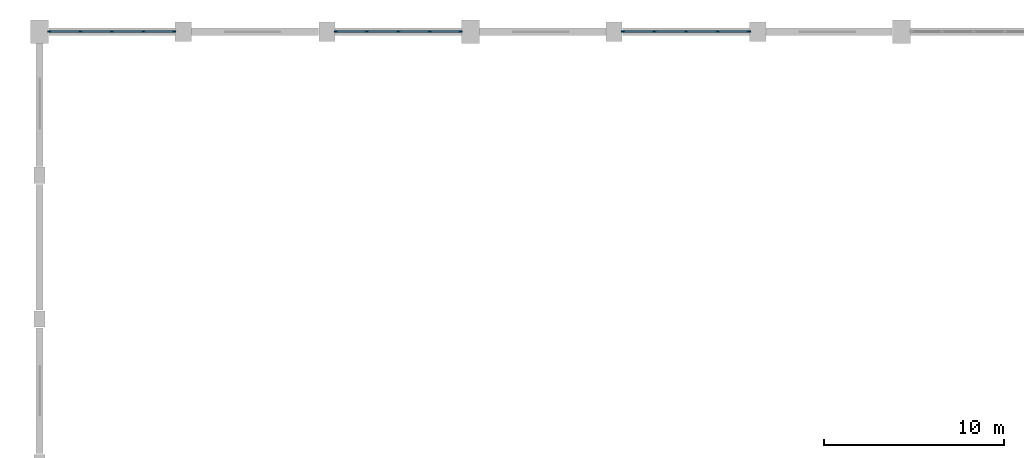
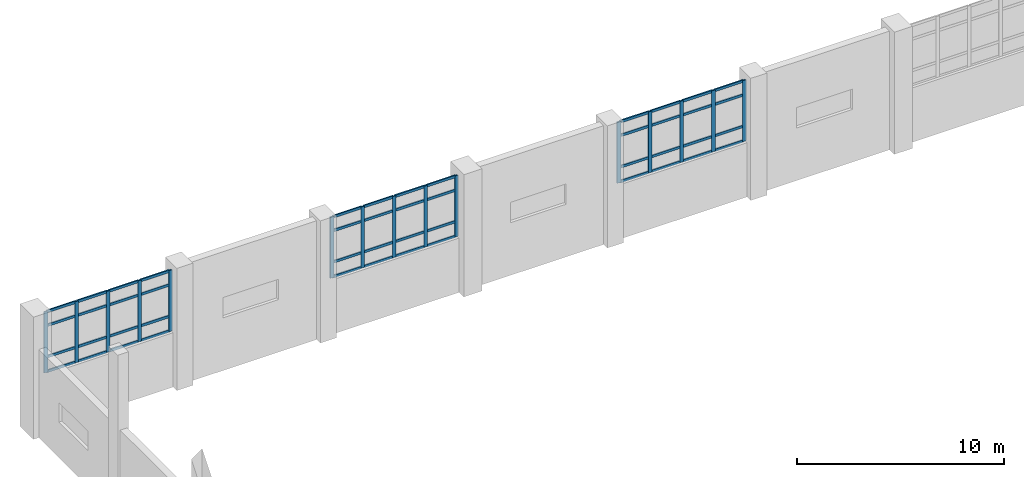
# One storey, part 34 of 84: 63 members, 3 elements without a shape of their own.
"""IFC4 building model written with IfcOpenShell, lengths in metres."""

from ifc_helpers import new_model, si_unit, direction, frame, origin, origin_2d, place, context, subcontext, project, spatial, rectangle, extrude, material, layer, layer_set, material_profile, profile_set, type_object, element, aggregate, save


model = new_model("IFC4")

# Units and contexts
model_context = context("Model", 3, precision=1e-05, world=origin(), true_north=direction((0.0, 1.0)))
body_context = subcontext(model_context, "Body", "Model", "MODEL_VIEW")
ifc_project = project(units=[si_unit("LENGTHUNIT", "METRE"), si_unit("AREAUNIT", "SQUARE_METRE"), si_unit("VOLUMEUNIT", "CUBIC_METRE"), si_unit("PLANEANGLEUNIT", "RADIAN"), si_unit("MASSUNIT", "GRAM", prefix="KILO")], contexts=[model_context])

# Site, building, storey
site_placement = place(None, origin())
site = spatial("IfcSite", under=ifc_project, at=site_placement, CompositionType="ELEMENT")
building_placement = place(site_placement, origin())
building = spatial("IfcBuilding", under=site, at=building_placement, Name="Tlacozan Convention Centre", CompositionType="ELEMENT")
storey_placement = place(building_placement, frame((0.0, 0.0, 6.0)))
storey = spatial("IfcBuildingStorey", under=building, at=storey_placement, Name="L01", CompositionType="ELEMENT", Elevation=6.0)

# Curtain wall, members
ifc_material = material(Name="Dark Bronze Anodised Aluminium", Category="aluminium")
ifc_layer = layer(ifc_material, 0.199951171875)
ifc_layer_set = layer_set([ifc_layer], Name="Dark Bronze Anodised Aluminium")
curtain_wall_type = type_object("IfcCurtainWallType", Name="Exhibition Clerestory Curtain Wall CW10", PredefinedType="NOTDEFINED", material=ifc_layer_set)
curtain_wall_1_placement = place(storey_placement, origin())
curtain_wall_1 = element("IfcCurtainWall", 1, at=curtain_wall_1_placement, inside=storey, type_object=curtain_wall_type, Name="L01 CW-10 Run 1", PredefinedType="NOTDEFINED")
ifc_material_profile_1 = material_profile(ifc_material, rectangle(XDim=0.074951171875, YDim=0.199951171875, at=origin_2d()), Name="ALU 75x200")
ifc_profile_set_1 = profile_set([ifc_material_profile_1], Name="Dark Bronze Anodised Aluminium")
member_type_1 = type_object("IfcMemberType", Name="Curtain Wall Heavy Mullion 75x200", PredefinedType="MULLION", material=ifc_profile_set_1)
member_1_placement = place(storey_placement, frame((0.552490234375, 126.0, 3.199951171875), z_axis=(0.0, 0.0, 1.0), x_axis=(0.0, 1.0, 0.0)))
member_1 = element("IfcMember", 2, at=member_1_placement, type_object=member_type_1, Name="CW-10 mullion 1", PredefinedType="MULLION", context=body_context, shape_type="SweptSolid", body=[
    extrude(rectangle(XDim=0.074951171875, YDim=0.199951171875, at=origin_2d()), origin(), (0.0, 0.0, 1.0), 3.60009765625),
])
member_2_placement = place(storey_placement, frame((2.27001953125, 126.0, 3.199951171875), z_axis=(0.0, 0.0, 1.0), x_axis=(0.0, 1.0, 0.0)))
member_2 = element("IfcMember", 3, at=member_2_placement, type_object=member_type_1, Name="CW-10 mullion 2", PredefinedType="MULLION", context=body_context, shape_type="SweptSolid", body=[
    extrude(rectangle(XDim=0.074951171875, YDim=0.199951171875, at=origin_2d()), origin(), (0.0, 0.0, 1.0), 3.60009765625),
])
member_3_placement = place(storey_placement, frame((4.02490234375, 126.0, 3.199951171875), z_axis=(0.0, 0.0, 1.0), x_axis=(0.0, 1.0, 0.0)))
member_3 = element("IfcMember", 4, at=member_3_placement, type_object=member_type_1, Name="CW-10 mullion 3", PredefinedType="MULLION", context=body_context, shape_type="SweptSolid", body=[
    extrude(rectangle(XDim=0.074951171875, YDim=0.199951171875, at=origin_2d()), origin(), (0.0, 0.0, 1.0), 3.60009765625),
])
member_4_placement = place(storey_placement, frame((5.780029296875, 126.0, 3.199951171875), z_axis=(0.0, 0.0, 1.0), x_axis=(0.0, 1.0, 0.0)))
member_4 = element("IfcMember", 5, at=member_4_placement, type_object=member_type_1, Name="CW-10 mullion 4", PredefinedType="MULLION", context=body_context, shape_type="SweptSolid", body=[
    extrude(rectangle(XDim=0.074951171875, YDim=0.199951171875, at=origin_2d()), origin(), (0.0, 0.0, 1.0), 3.60009765625),
])
member_5_placement = place(storey_placement, frame((7.49755859375, 126.0, 3.199951171875), z_axis=(0.0, 0.0, 1.0), x_axis=(0.0, 1.0, 0.0)))
member_5 = element("IfcMember", 6, at=member_5_placement, type_object=member_type_1, Name="CW-10 mullion 5", PredefinedType="MULLION", context=body_context, shape_type="SweptSolid", body=[
    extrude(rectangle(XDim=0.074951171875, YDim=0.199951171875, at=origin_2d()), origin(), (0.0, 0.0, 1.0), 3.60009765625),
])

curtain_wall_2_placement = place(storey_placement, origin())
curtain_wall_2 = element("IfcCurtainWall", 7, at=curtain_wall_2_placement, inside=storey, type_object=curtain_wall_type, Name="L01 CW-10 Run 2", PredefinedType="NOTDEFINED")
member_6_placement = place(storey_placement, frame((16.50244140625, 126.0, 3.199951171875), z_axis=(0.0, 0.0, 1.0), x_axis=(0.0, 1.0, 0.0)))
member_6 = element("IfcMember", 8, at=member_6_placement, type_object=member_type_1, Name="CW-10 mullion 1", PredefinedType="MULLION", context=body_context, shape_type="SweptSolid", body=[
    extrude(rectangle(XDim=0.074951171875, YDim=0.199951171875, at=origin_2d()), origin(), (0.0, 0.0, 1.0), 3.60009765625),
])
member_7_placement = place(storey_placement, frame((18.219970703125, 126.0, 3.199951171875), z_axis=(0.0, 0.0, 1.0), x_axis=(0.0, 1.0, 0.0)))
member_7 = element("IfcMember", 9, at=member_7_placement, type_object=member_type_1, Name="CW-10 mullion 2", PredefinedType="MULLION", context=body_context, shape_type="SweptSolid", body=[
    extrude(rectangle(XDim=0.074951171875, YDim=0.199951171875, at=origin_2d()), origin(), (0.0, 0.0, 1.0), 3.60009765625),
])
member_8_placement = place(storey_placement, frame((19.97509765625, 126.0, 3.199951171875), z_axis=(0.0, 0.0, 1.0), x_axis=(0.0, 1.0, 0.0)))
member_8 = element("IfcMember", 10, at=member_8_placement, type_object=member_type_1, Name="CW-10 mullion 3", PredefinedType="MULLION", context=body_context, shape_type="SweptSolid", body=[
    extrude(rectangle(XDim=0.074951171875, YDim=0.199951171875, at=origin_2d()), origin(), (0.0, 0.0, 1.0), 3.60009765625),
])
member_9_placement = place(storey_placement, frame((21.72998046875, 126.0, 3.199951171875), z_axis=(0.0, 0.0, 1.0), x_axis=(0.0, 1.0, 0.0)))
member_9 = element("IfcMember", 11, at=member_9_placement, type_object=member_type_1, Name="CW-10 mullion 4", PredefinedType="MULLION", context=body_context, shape_type="SweptSolid", body=[
    extrude(rectangle(XDim=0.074951171875, YDim=0.199951171875, at=origin_2d()), origin(), (0.0, 0.0, 1.0), 3.60009765625),
])
member_10_placement = place(storey_placement, frame((23.447509765625, 126.0, 3.199951171875), z_axis=(0.0, 0.0, 1.0), x_axis=(0.0, 1.0, 0.0)))
member_10 = element("IfcMember", 12, at=member_10_placement, type_object=member_type_1, Name="CW-10 mullion 5", PredefinedType="MULLION", context=body_context, shape_type="SweptSolid", body=[
    extrude(rectangle(XDim=0.074951171875, YDim=0.199951171875, at=origin_2d()), origin(), (0.0, 0.0, 1.0), 3.60009765625),
])

curtain_wall_3_placement = place(storey_placement, origin())
curtain_wall_3 = element("IfcCurtainWall", 13, at=curtain_wall_3_placement, inside=storey, type_object=curtain_wall_type, Name="L01 CW-10 Run 3", PredefinedType="NOTDEFINED")
member_11_placement = place(storey_placement, frame((32.50244140625, 126.0, 3.199951171875), z_axis=(0.0, 0.0, 1.0), x_axis=(0.0, 1.0, 0.0)))
member_11 = element("IfcMember", 14, at=member_11_placement, type_object=member_type_1, Name="CW-10 mullion 1", PredefinedType="MULLION", context=body_context, shape_type="SweptSolid", body=[
    extrude(rectangle(XDim=0.074951171875, YDim=0.199951171875, at=origin_2d()), origin(), (0.0, 0.0, 1.0), 3.60009765625),
])
member_12_placement = place(storey_placement, frame((34.232421875, 126.0, 3.199951171875), z_axis=(0.0, 0.0, 1.0), x_axis=(0.0, 1.0, 0.0)))
member_12 = element("IfcMember", 15, at=member_12_placement, type_object=member_type_1, Name="CW-10 mullion 2", PredefinedType="MULLION", context=body_context, shape_type="SweptSolid", body=[
    extrude(rectangle(XDim=0.074951171875, YDim=0.199951171875, at=origin_2d()), origin(), (0.0, 0.0, 1.0), 3.60009765625),
])
member_13_placement = place(storey_placement, frame((36.0, 126.0, 3.199951171875), z_axis=(0.0, 0.0, 1.0), x_axis=(0.0, 1.0, 0.0)))
member_13 = element("IfcMember", 16, at=member_13_placement, type_object=member_type_1, Name="CW-10 mullion 3", PredefinedType="MULLION", context=body_context, shape_type="SweptSolid", body=[
    extrude(rectangle(XDim=0.074951171875, YDim=0.199951171875, at=origin_2d()), origin(), (0.0, 0.0, 1.0), 3.60009765625),
])
member_14_placement = place(storey_placement, frame((37.767578125, 126.0, 3.199951171875), z_axis=(0.0, 0.0, 1.0), x_axis=(0.0, 1.0, 0.0)))
member_14 = element("IfcMember", 17, at=member_14_placement, type_object=member_type_1, Name="CW-10 mullion 4", PredefinedType="MULLION", context=body_context, shape_type="SweptSolid", body=[
    extrude(rectangle(XDim=0.074951171875, YDim=0.199951171875, at=origin_2d()), origin(), (0.0, 0.0, 1.0), 3.60009765625),
])
member_15_placement = place(storey_placement, frame((39.49755859375, 126.0, 3.199951171875), z_axis=(0.0, 0.0, 1.0), x_axis=(0.0, 1.0, 0.0)))
member_15 = element("IfcMember", 18, at=member_15_placement, type_object=member_type_1, Name="CW-10 mullion 5", PredefinedType="MULLION", context=body_context, shape_type="SweptSolid", body=[
    extrude(rectangle(XDim=0.074951171875, YDim=0.199951171875, at=origin_2d()), origin(), (0.0, 0.0, 1.0), 3.60009765625),
])

# Member
ifc_material_profile_2 = material_profile(ifc_material, rectangle(XDim=0.074951171875, YDim=0.14990234375, at=origin_2d()), Name="ALU 75x150")
ifc_profile_set_2 = profile_set([ifc_material_profile_2], Name="Dark Bronze Anodised Aluminium")
member_type_2 = type_object("IfcMemberType", Name="Curtain Wall Heavy Transom 75x150", PredefinedType="USERDEFINED", material=ifc_profile_set_2)
member_16_placement = place(storey_placement, frame((0.590087890625, 126.0, 3.237548828125), z_axis=(1.0, 0.0, 0.0), x_axis=(0.0, 1.0, 0.0)))
member_16 = element("IfcMember", 19, at=member_16_placement, type_object=member_type_2, Name="CW-10 transom 1.1", ObjectType="TRANSOM", PredefinedType="USERDEFINED", context=body_context, shape_type="SweptSolid", body=[
    extrude(rectangle(XDim=0.074951171875, YDim=0.14990234375, at=origin_2d()), origin(), (0.0, 0.0, 1.0), 1.642333984375),
])

member_17_placement = place(storey_placement, frame((0.590087890625, 126.0, 4.10009765625), z_axis=(1.0, 0.0, 0.0), x_axis=(0.0, 1.0, 0.0)))
member_17 = element("IfcMember", 20, at=member_17_placement, type_object=member_type_2, Name="CW-10 transom 1.2", ObjectType="TRANSOM", PredefinedType="USERDEFINED", context=body_context, shape_type="SweptSolid", body=[
    extrude(rectangle(XDim=0.074951171875, YDim=0.14990234375, at=origin_2d()), origin(), (0.0, 0.0, 1.0), 1.642333984375),
])

member_18_placement = place(storey_placement, frame((0.590087890625, 126.0, 5.949951171875), z_axis=(1.0, 0.0, 0.0), x_axis=(0.0, 1.0, 0.0)))
member_18 = element("IfcMember", 21, at=member_18_placement, type_object=member_type_2, Name="CW-10 transom 1.3", ObjectType="TRANSOM", PredefinedType="USERDEFINED", context=body_context, shape_type="SweptSolid", body=[
    extrude(rectangle(XDim=0.074951171875, YDim=0.14990234375, at=origin_2d()), origin(), (0.0, 0.0, 1.0), 1.642333984375),
])

member_19_placement = place(storey_placement, frame((0.590087890625, 126.0, 6.762451171875), z_axis=(1.0, 0.0, 0.0), x_axis=(0.0, 1.0, 0.0)))
member_19 = element("IfcMember", 22, at=member_19_placement, type_object=member_type_2, Name="CW-10 transom 1.4", ObjectType="TRANSOM", PredefinedType="USERDEFINED", context=body_context, shape_type="SweptSolid", body=[
    extrude(rectangle(XDim=0.074951171875, YDim=0.14990234375, at=origin_2d()), origin(), (0.0, 0.0, 1.0), 1.642333984375),
])

member_20_placement = place(storey_placement, frame((2.3076171875, 126.0, 3.237548828125), z_axis=(1.0, 0.0, 0.0), x_axis=(0.0, 1.0, 0.0)))
member_20 = element("IfcMember", 23, at=member_20_placement, type_object=member_type_2, Name="CW-10 transom 2.1", ObjectType="TRANSOM", PredefinedType="USERDEFINED", context=body_context, shape_type="SweptSolid", body=[
    extrude(rectangle(XDim=0.074951171875, YDim=0.14990234375, at=origin_2d()), origin(), (0.0, 0.0, 1.0), 1.679931640625),
])

member_21_placement = place(storey_placement, frame((2.3076171875, 126.0, 4.10009765625), z_axis=(1.0, 0.0, 0.0), x_axis=(0.0, 1.0, 0.0)))
member_21 = element("IfcMember", 24, at=member_21_placement, type_object=member_type_2, Name="CW-10 transom 2.2", ObjectType="TRANSOM", PredefinedType="USERDEFINED", context=body_context, shape_type="SweptSolid", body=[
    extrude(rectangle(XDim=0.074951171875, YDim=0.14990234375, at=origin_2d()), origin(), (0.0, 0.0, 1.0), 1.679931640625),
])

member_22_placement = place(storey_placement, frame((2.3076171875, 126.0, 5.949951171875), z_axis=(1.0, 0.0, 0.0), x_axis=(0.0, 1.0, 0.0)))
member_22 = element("IfcMember", 25, at=member_22_placement, type_object=member_type_2, Name="CW-10 transom 2.3", ObjectType="TRANSOM", PredefinedType="USERDEFINED", context=body_context, shape_type="SweptSolid", body=[
    extrude(rectangle(XDim=0.074951171875, YDim=0.14990234375, at=origin_2d()), origin(), (0.0, 0.0, 1.0), 1.679931640625),
])

member_23_placement = place(storey_placement, frame((2.3076171875, 126.0, 6.762451171875), z_axis=(1.0, 0.0, 0.0), x_axis=(0.0, 1.0, 0.0)))
member_23 = element("IfcMember", 26, at=member_23_placement, type_object=member_type_2, Name="CW-10 transom 2.4", ObjectType="TRANSOM", PredefinedType="USERDEFINED", context=body_context, shape_type="SweptSolid", body=[
    extrude(rectangle(XDim=0.074951171875, YDim=0.14990234375, at=origin_2d()), origin(), (0.0, 0.0, 1.0), 1.679931640625),
])

member_24_placement = place(storey_placement, frame((4.0625, 126.0, 3.237548828125), z_axis=(1.0, 0.0, 0.0), x_axis=(0.0, 1.0, 0.0)))
member_24 = element("IfcMember", 27, at=member_24_placement, type_object=member_type_2, Name="CW-10 transom 3.1", ObjectType="TRANSOM", PredefinedType="USERDEFINED", context=body_context, shape_type="SweptSolid", body=[
    extrude(rectangle(XDim=0.074951171875, YDim=0.14990234375, at=origin_2d()), origin(), (0.0, 0.0, 1.0), 1.679931640625),
])

member_25_placement = place(storey_placement, frame((4.0625, 126.0, 4.10009765625), z_axis=(1.0, 0.0, 0.0), x_axis=(0.0, 1.0, 0.0)))
member_25 = element("IfcMember", 28, at=member_25_placement, type_object=member_type_2, Name="CW-10 transom 3.2", ObjectType="TRANSOM", PredefinedType="USERDEFINED", context=body_context, shape_type="SweptSolid", body=[
    extrude(rectangle(XDim=0.074951171875, YDim=0.14990234375, at=origin_2d()), origin(), (0.0, 0.0, 1.0), 1.679931640625),
])

member_26_placement = place(storey_placement, frame((4.0625, 126.0, 5.949951171875), z_axis=(1.0, 0.0, 0.0), x_axis=(0.0, 1.0, 0.0)))
member_26 = element("IfcMember", 29, at=member_26_placement, type_object=member_type_2, Name="CW-10 transom 3.3", ObjectType="TRANSOM", PredefinedType="USERDEFINED", context=body_context, shape_type="SweptSolid", body=[
    extrude(rectangle(XDim=0.074951171875, YDim=0.14990234375, at=origin_2d()), origin(), (0.0, 0.0, 1.0), 1.679931640625),
])

member_27_placement = place(storey_placement, frame((4.0625, 126.0, 6.762451171875), z_axis=(1.0, 0.0, 0.0), x_axis=(0.0, 1.0, 0.0)))
member_27 = element("IfcMember", 30, at=member_27_placement, type_object=member_type_2, Name="CW-10 transom 3.4", ObjectType="TRANSOM", PredefinedType="USERDEFINED", context=body_context, shape_type="SweptSolid", body=[
    extrude(rectangle(XDim=0.074951171875, YDim=0.14990234375, at=origin_2d()), origin(), (0.0, 0.0, 1.0), 1.679931640625),
])

member_28_placement = place(storey_placement, frame((5.8173828125, 126.0, 3.237548828125), z_axis=(1.0, 0.0, 0.0), x_axis=(0.0, 1.0, 0.0)))
member_28 = element("IfcMember", 31, at=member_28_placement, type_object=member_type_2, Name="CW-10 transom 4.1", ObjectType="TRANSOM", PredefinedType="USERDEFINED", context=body_context, shape_type="SweptSolid", body=[
    extrude(rectangle(XDim=0.074951171875, YDim=0.14990234375, at=origin_2d()), origin(), (0.0, 0.0, 1.0), 1.642578125),
])

member_29_placement = place(storey_placement, frame((5.8173828125, 126.0, 4.10009765625), z_axis=(1.0, 0.0, 0.0), x_axis=(0.0, 1.0, 0.0)))
member_29 = element("IfcMember", 32, at=member_29_placement, type_object=member_type_2, Name="CW-10 transom 4.2", ObjectType="TRANSOM", PredefinedType="USERDEFINED", context=body_context, shape_type="SweptSolid", body=[
    extrude(rectangle(XDim=0.074951171875, YDim=0.14990234375, at=origin_2d()), origin(), (0.0, 0.0, 1.0), 1.642578125),
])

member_30_placement = place(storey_placement, frame((5.8173828125, 126.0, 5.949951171875), z_axis=(1.0, 0.0, 0.0), x_axis=(0.0, 1.0, 0.0)))
member_30 = element("IfcMember", 33, at=member_30_placement, type_object=member_type_2, Name="CW-10 transom 4.3", ObjectType="TRANSOM", PredefinedType="USERDEFINED", context=body_context, shape_type="SweptSolid", body=[
    extrude(rectangle(XDim=0.074951171875, YDim=0.14990234375, at=origin_2d()), origin(), (0.0, 0.0, 1.0), 1.642578125),
])

member_31_placement = place(storey_placement, frame((5.8173828125, 126.0, 6.762451171875), z_axis=(1.0, 0.0, 0.0), x_axis=(0.0, 1.0, 0.0)))
member_31 = element("IfcMember", 34, at=member_31_placement, type_object=member_type_2, Name="CW-10 transom 4.4", ObjectType="TRANSOM", PredefinedType="USERDEFINED", context=body_context, shape_type="SweptSolid", body=[
    extrude(rectangle(XDim=0.074951171875, YDim=0.14990234375, at=origin_2d()), origin(), (0.0, 0.0, 1.0), 1.642578125),
])

aggregate(curtain_wall_1, [member_1, member_2, member_3, member_4, member_5, member_16, member_17, member_18, member_19, member_20, member_21, member_22, member_23, member_24, member_25, member_26, member_27, member_28, member_29, member_30, member_31])

member_32_placement = place(storey_placement, frame((16.5400390625, 126.0, 3.237548828125), z_axis=(1.0, 0.0, 0.0), x_axis=(0.0, 1.0, 0.0)))
member_32 = element("IfcMember", 35, at=member_32_placement, type_object=member_type_2, Name="CW-10 transom 1.1", ObjectType="TRANSOM", PredefinedType="USERDEFINED", context=body_context, shape_type="SweptSolid", body=[
    extrude(rectangle(XDim=0.074951171875, YDim=0.14990234375, at=origin_2d()), origin(), (0.0, 0.0, 1.0), 1.642578125),
])

member_33_placement = place(storey_placement, frame((16.5400390625, 126.0, 4.10009765625), z_axis=(1.0, 0.0, 0.0), x_axis=(0.0, 1.0, 0.0)))
member_33 = element("IfcMember", 36, at=member_33_placement, type_object=member_type_2, Name="CW-10 transom 1.2", ObjectType="TRANSOM", PredefinedType="USERDEFINED", context=body_context, shape_type="SweptSolid", body=[
    extrude(rectangle(XDim=0.074951171875, YDim=0.14990234375, at=origin_2d()), origin(), (0.0, 0.0, 1.0), 1.642578125),
])

member_34_placement = place(storey_placement, frame((16.5400390625, 126.0, 5.949951171875), z_axis=(1.0, 0.0, 0.0), x_axis=(0.0, 1.0, 0.0)))
member_34 = element("IfcMember", 37, at=member_34_placement, type_object=member_type_2, Name="CW-10 transom 1.3", ObjectType="TRANSOM", PredefinedType="USERDEFINED", context=body_context, shape_type="SweptSolid", body=[
    extrude(rectangle(XDim=0.074951171875, YDim=0.14990234375, at=origin_2d()), origin(), (0.0, 0.0, 1.0), 1.642578125),
])

member_35_placement = place(storey_placement, frame((16.5400390625, 126.0, 6.762451171875), z_axis=(1.0, 0.0, 0.0), x_axis=(0.0, 1.0, 0.0)))
member_35 = element("IfcMember", 38, at=member_35_placement, type_object=member_type_2, Name="CW-10 transom 1.4", ObjectType="TRANSOM", PredefinedType="USERDEFINED", context=body_context, shape_type="SweptSolid", body=[
    extrude(rectangle(XDim=0.074951171875, YDim=0.14990234375, at=origin_2d()), origin(), (0.0, 0.0, 1.0), 1.642578125),
])

member_36_placement = place(storey_placement, frame((18.257568359375, 126.0, 3.237548828125), z_axis=(1.0, 0.0, 0.0), x_axis=(0.0, 1.0, 0.0)))
member_36 = element("IfcMember", 39, at=member_36_placement, type_object=member_type_2, Name="CW-10 transom 2.1", ObjectType="TRANSOM", PredefinedType="USERDEFINED", context=body_context, shape_type="SweptSolid", body=[
    extrude(rectangle(XDim=0.074951171875, YDim=0.14990234375, at=origin_2d()), origin(), (0.0, 0.0, 1.0), 1.679931640625),
])

member_37_placement = place(storey_placement, frame((18.257568359375, 126.0, 4.10009765625), z_axis=(1.0, 0.0, 0.0), x_axis=(0.0, 1.0, 0.0)))
member_37 = element("IfcMember", 40, at=member_37_placement, type_object=member_type_2, Name="CW-10 transom 2.2", ObjectType="TRANSOM", PredefinedType="USERDEFINED", context=body_context, shape_type="SweptSolid", body=[
    extrude(rectangle(XDim=0.074951171875, YDim=0.14990234375, at=origin_2d()), origin(), (0.0, 0.0, 1.0), 1.679931640625),
])

member_38_placement = place(storey_placement, frame((18.257568359375, 126.0, 5.949951171875), z_axis=(1.0, 0.0, 0.0), x_axis=(0.0, 1.0, 0.0)))
member_38 = element("IfcMember", 41, at=member_38_placement, type_object=member_type_2, Name="CW-10 transom 2.3", ObjectType="TRANSOM", PredefinedType="USERDEFINED", context=body_context, shape_type="SweptSolid", body=[
    extrude(rectangle(XDim=0.074951171875, YDim=0.14990234375, at=origin_2d()), origin(), (0.0, 0.0, 1.0), 1.679931640625),
])

member_39_placement = place(storey_placement, frame((18.257568359375, 126.0, 6.762451171875), z_axis=(1.0, 0.0, 0.0), x_axis=(0.0, 1.0, 0.0)))
member_39 = element("IfcMember", 42, at=member_39_placement, type_object=member_type_2, Name="CW-10 transom 2.4", ObjectType="TRANSOM", PredefinedType="USERDEFINED", context=body_context, shape_type="SweptSolid", body=[
    extrude(rectangle(XDim=0.074951171875, YDim=0.14990234375, at=origin_2d()), origin(), (0.0, 0.0, 1.0), 1.679931640625),
])

member_40_placement = place(storey_placement, frame((20.012451171875, 126.0, 3.237548828125), z_axis=(1.0, 0.0, 0.0), x_axis=(0.0, 1.0, 0.0)))
member_40 = element("IfcMember", 43, at=member_40_placement, type_object=member_type_2, Name="CW-10 transom 3.1", ObjectType="TRANSOM", PredefinedType="USERDEFINED", context=body_context, shape_type="SweptSolid", body=[
    extrude(rectangle(XDim=0.074951171875, YDim=0.14990234375, at=origin_2d()), origin(), (0.0, 0.0, 1.0), 1.679931640625),
])

member_41_placement = place(storey_placement, frame((20.012451171875, 126.0, 4.10009765625), z_axis=(1.0, 0.0, 0.0), x_axis=(0.0, 1.0, 0.0)))
member_41 = element("IfcMember", 44, at=member_41_placement, type_object=member_type_2, Name="CW-10 transom 3.2", ObjectType="TRANSOM", PredefinedType="USERDEFINED", context=body_context, shape_type="SweptSolid", body=[
    extrude(rectangle(XDim=0.074951171875, YDim=0.14990234375, at=origin_2d()), origin(), (0.0, 0.0, 1.0), 1.679931640625),
])

member_42_placement = place(storey_placement, frame((20.012451171875, 126.0, 5.949951171875), z_axis=(1.0, 0.0, 0.0), x_axis=(0.0, 1.0, 0.0)))
member_42 = element("IfcMember", 45, at=member_42_placement, type_object=member_type_2, Name="CW-10 transom 3.3", ObjectType="TRANSOM", PredefinedType="USERDEFINED", context=body_context, shape_type="SweptSolid", body=[
    extrude(rectangle(XDim=0.074951171875, YDim=0.14990234375, at=origin_2d()), origin(), (0.0, 0.0, 1.0), 1.679931640625),
])

member_43_placement = place(storey_placement, frame((20.012451171875, 126.0, 6.762451171875), z_axis=(1.0, 0.0, 0.0), x_axis=(0.0, 1.0, 0.0)))
member_43 = element("IfcMember", 46, at=member_43_placement, type_object=member_type_2, Name="CW-10 transom 3.4", ObjectType="TRANSOM", PredefinedType="USERDEFINED", context=body_context, shape_type="SweptSolid", body=[
    extrude(rectangle(XDim=0.074951171875, YDim=0.14990234375, at=origin_2d()), origin(), (0.0, 0.0, 1.0), 1.679931640625),
])

member_44_placement = place(storey_placement, frame((21.767578125, 126.0, 3.237548828125), z_axis=(1.0, 0.0, 0.0), x_axis=(0.0, 1.0, 0.0)))
member_44 = element("IfcMember", 47, at=member_44_placement, type_object=member_type_2, Name="CW-10 transom 4.1", ObjectType="TRANSOM", PredefinedType="USERDEFINED", context=body_context, shape_type="SweptSolid", body=[
    extrude(rectangle(XDim=0.074951171875, YDim=0.14990234375, at=origin_2d()), origin(), (0.0, 0.0, 1.0), 1.642333984375),
])

member_45_placement = place(storey_placement, frame((21.767578125, 126.0, 4.10009765625), z_axis=(1.0, 0.0, 0.0), x_axis=(0.0, 1.0, 0.0)))
member_45 = element("IfcMember", 48, at=member_45_placement, type_object=member_type_2, Name="CW-10 transom 4.2", ObjectType="TRANSOM", PredefinedType="USERDEFINED", context=body_context, shape_type="SweptSolid", body=[
    extrude(rectangle(XDim=0.074951171875, YDim=0.14990234375, at=origin_2d()), origin(), (0.0, 0.0, 1.0), 1.642333984375),
])

member_46_placement = place(storey_placement, frame((21.767578125, 126.0, 5.949951171875), z_axis=(1.0, 0.0, 0.0), x_axis=(0.0, 1.0, 0.0)))
member_46 = element("IfcMember", 49, at=member_46_placement, type_object=member_type_2, Name="CW-10 transom 4.3", ObjectType="TRANSOM", PredefinedType="USERDEFINED", context=body_context, shape_type="SweptSolid", body=[
    extrude(rectangle(XDim=0.074951171875, YDim=0.14990234375, at=origin_2d()), origin(), (0.0, 0.0, 1.0), 1.642333984375),
])

member_47_placement = place(storey_placement, frame((21.767578125, 126.0, 6.762451171875), z_axis=(1.0, 0.0, 0.0), x_axis=(0.0, 1.0, 0.0)))
member_47 = element("IfcMember", 50, at=member_47_placement, type_object=member_type_2, Name="CW-10 transom 4.4", ObjectType="TRANSOM", PredefinedType="USERDEFINED", context=body_context, shape_type="SweptSolid", body=[
    extrude(rectangle(XDim=0.074951171875, YDim=0.14990234375, at=origin_2d()), origin(), (0.0, 0.0, 1.0), 1.642333984375),
])

aggregate(curtain_wall_2, [member_6, member_7, member_8, member_9, member_10, member_32, member_33, member_34, member_35, member_36, member_37, member_38, member_39, member_40, member_41, member_42, member_43, member_44, member_45, member_46, member_47])

member_48_placement = place(storey_placement, frame((32.5400390625, 126.0, 3.237548828125), z_axis=(1.0, 0.0, 0.0), x_axis=(0.0, 1.0, 0.0)))
member_48 = element("IfcMember", 51, at=member_48_placement, type_object=member_type_2, Name="CW-10 transom 1.1", ObjectType="TRANSOM", PredefinedType="USERDEFINED", context=body_context, shape_type="SweptSolid", body=[
    extrude(rectangle(XDim=0.074951171875, YDim=0.14990234375, at=origin_2d()), origin(), (0.0, 0.0, 1.0), 1.655029296875),
])

member_49_placement = place(storey_placement, frame((32.5400390625, 126.0, 4.10009765625), z_axis=(1.0, 0.0, 0.0), x_axis=(0.0, 1.0, 0.0)))
member_49 = element("IfcMember", 52, at=member_49_placement, type_object=member_type_2, Name="CW-10 transom 1.2", ObjectType="TRANSOM", PredefinedType="USERDEFINED", context=body_context, shape_type="SweptSolid", body=[
    extrude(rectangle(XDim=0.074951171875, YDim=0.14990234375, at=origin_2d()), origin(), (0.0, 0.0, 1.0), 1.655029296875),
])

member_50_placement = place(storey_placement, frame((32.5400390625, 126.0, 5.949951171875), z_axis=(1.0, 0.0, 0.0), x_axis=(0.0, 1.0, 0.0)))
member_50 = element("IfcMember", 53, at=member_50_placement, type_object=member_type_2, Name="CW-10 transom 1.3", ObjectType="TRANSOM", PredefinedType="USERDEFINED", context=body_context, shape_type="SweptSolid", body=[
    extrude(rectangle(XDim=0.074951171875, YDim=0.14990234375, at=origin_2d()), origin(), (0.0, 0.0, 1.0), 1.655029296875),
])

member_51_placement = place(storey_placement, frame((32.5400390625, 126.0, 6.762451171875), z_axis=(1.0, 0.0, 0.0), x_axis=(0.0, 1.0, 0.0)))
member_51 = element("IfcMember", 54, at=member_51_placement, type_object=member_type_2, Name="CW-10 transom 1.4", ObjectType="TRANSOM", PredefinedType="USERDEFINED", context=body_context, shape_type="SweptSolid", body=[
    extrude(rectangle(XDim=0.074951171875, YDim=0.14990234375, at=origin_2d()), origin(), (0.0, 0.0, 1.0), 1.655029296875),
])

member_52_placement = place(storey_placement, frame((34.27001953125, 126.0, 3.237548828125), z_axis=(1.0, 0.0, 0.0), x_axis=(0.0, 1.0, 0.0)))
member_52 = element("IfcMember", 55, at=member_52_placement, type_object=member_type_2, Name="CW-10 transom 2.1", ObjectType="TRANSOM", PredefinedType="USERDEFINED", context=body_context, shape_type="SweptSolid", body=[
    extrude(rectangle(XDim=0.074951171875, YDim=0.14990234375, at=origin_2d()), origin(), (0.0, 0.0, 1.0), 1.6923828125),
])

member_53_placement = place(storey_placement, frame((34.27001953125, 126.0, 4.10009765625), z_axis=(1.0, 0.0, 0.0), x_axis=(0.0, 1.0, 0.0)))
member_53 = element("IfcMember", 56, at=member_53_placement, type_object=member_type_2, Name="CW-10 transom 2.2", ObjectType="TRANSOM", PredefinedType="USERDEFINED", context=body_context, shape_type="SweptSolid", body=[
    extrude(rectangle(XDim=0.074951171875, YDim=0.14990234375, at=origin_2d()), origin(), (0.0, 0.0, 1.0), 1.6923828125),
])

member_54_placement = place(storey_placement, frame((34.27001953125, 126.0, 5.949951171875), z_axis=(1.0, 0.0, 0.0), x_axis=(0.0, 1.0, 0.0)))
member_54 = element("IfcMember", 57, at=member_54_placement, type_object=member_type_2, Name="CW-10 transom 2.3", ObjectType="TRANSOM", PredefinedType="USERDEFINED", context=body_context, shape_type="SweptSolid", body=[
    extrude(rectangle(XDim=0.074951171875, YDim=0.14990234375, at=origin_2d()), origin(), (0.0, 0.0, 1.0), 1.6923828125),
])

member_55_placement = place(storey_placement, frame((34.27001953125, 126.0, 6.762451171875), z_axis=(1.0, 0.0, 0.0), x_axis=(0.0, 1.0, 0.0)))
member_55 = element("IfcMember", 58, at=member_55_placement, type_object=member_type_2, Name="CW-10 transom 2.4", ObjectType="TRANSOM", PredefinedType="USERDEFINED", context=body_context, shape_type="SweptSolid", body=[
    extrude(rectangle(XDim=0.074951171875, YDim=0.14990234375, at=origin_2d()), origin(), (0.0, 0.0, 1.0), 1.6923828125),
])

member_56_placement = place(storey_placement, frame((36.03759765625, 126.0, 3.237548828125), z_axis=(1.0, 0.0, 0.0), x_axis=(0.0, 1.0, 0.0)))
member_56 = element("IfcMember", 59, at=member_56_placement, type_object=member_type_2, Name="CW-10 transom 3.1", ObjectType="TRANSOM", PredefinedType="USERDEFINED", context=body_context, shape_type="SweptSolid", body=[
    extrude(rectangle(XDim=0.074951171875, YDim=0.14990234375, at=origin_2d()), origin(), (0.0, 0.0, 1.0), 1.6923828125),
])

member_57_placement = place(storey_placement, frame((36.03759765625, 126.0, 4.10009765625), z_axis=(1.0, 0.0, 0.0), x_axis=(0.0, 1.0, 0.0)))
member_57 = element("IfcMember", 60, at=member_57_placement, type_object=member_type_2, Name="CW-10 transom 3.2", ObjectType="TRANSOM", PredefinedType="USERDEFINED", context=body_context, shape_type="SweptSolid", body=[
    extrude(rectangle(XDim=0.074951171875, YDim=0.14990234375, at=origin_2d()), origin(), (0.0, 0.0, 1.0), 1.6923828125),
])

member_58_placement = place(storey_placement, frame((36.03759765625, 126.0, 5.949951171875), z_axis=(1.0, 0.0, 0.0), x_axis=(0.0, 1.0, 0.0)))
member_58 = element("IfcMember", 61, at=member_58_placement, type_object=member_type_2, Name="CW-10 transom 3.3", ObjectType="TRANSOM", PredefinedType="USERDEFINED", context=body_context, shape_type="SweptSolid", body=[
    extrude(rectangle(XDim=0.074951171875, YDim=0.14990234375, at=origin_2d()), origin(), (0.0, 0.0, 1.0), 1.6923828125),
])

member_59_placement = place(storey_placement, frame((36.03759765625, 126.0, 6.762451171875), z_axis=(1.0, 0.0, 0.0), x_axis=(0.0, 1.0, 0.0)))
member_59 = element("IfcMember", 62, at=member_59_placement, type_object=member_type_2, Name="CW-10 transom 3.4", ObjectType="TRANSOM", PredefinedType="USERDEFINED", context=body_context, shape_type="SweptSolid", body=[
    extrude(rectangle(XDim=0.074951171875, YDim=0.14990234375, at=origin_2d()), origin(), (0.0, 0.0, 1.0), 1.6923828125),
])

member_60_placement = place(storey_placement, frame((37.804931640625, 126.0, 3.237548828125), z_axis=(1.0, 0.0, 0.0), x_axis=(0.0, 1.0, 0.0)))
member_60 = element("IfcMember", 63, at=member_60_placement, type_object=member_type_2, Name="CW-10 transom 4.1", ObjectType="TRANSOM", PredefinedType="USERDEFINED", context=body_context, shape_type="SweptSolid", body=[
    extrude(rectangle(XDim=0.074951171875, YDim=0.14990234375, at=origin_2d()), origin(), (0.0, 0.0, 1.0), 1.655029296875),
])

member_61_placement = place(storey_placement, frame((37.804931640625, 126.0, 4.10009765625), z_axis=(1.0, 0.0, 0.0), x_axis=(0.0, 1.0, 0.0)))
member_61 = element("IfcMember", 64, at=member_61_placement, type_object=member_type_2, Name="CW-10 transom 4.2", ObjectType="TRANSOM", PredefinedType="USERDEFINED", context=body_context, shape_type="SweptSolid", body=[
    extrude(rectangle(XDim=0.074951171875, YDim=0.14990234375, at=origin_2d()), origin(), (0.0, 0.0, 1.0), 1.655029296875),
])

member_62_placement = place(storey_placement, frame((37.804931640625, 126.0, 5.949951171875), z_axis=(1.0, 0.0, 0.0), x_axis=(0.0, 1.0, 0.0)))
member_62 = element("IfcMember", 65, at=member_62_placement, type_object=member_type_2, Name="CW-10 transom 4.3", ObjectType="TRANSOM", PredefinedType="USERDEFINED", context=body_context, shape_type="SweptSolid", body=[
    extrude(rectangle(XDim=0.074951171875, YDim=0.14990234375, at=origin_2d()), origin(), (0.0, 0.0, 1.0), 1.655029296875),
])

member_63_placement = place(storey_placement, frame((37.804931640625, 126.0, 6.762451171875), z_axis=(1.0, 0.0, 0.0), x_axis=(0.0, 1.0, 0.0)))
member_63 = element("IfcMember", 66, at=member_63_placement, type_object=member_type_2, Name="CW-10 transom 4.4", ObjectType="TRANSOM", PredefinedType="USERDEFINED", context=body_context, shape_type="SweptSolid", body=[
    extrude(rectangle(XDim=0.074951171875, YDim=0.14990234375, at=origin_2d()), origin(), (0.0, 0.0, 1.0), 1.655029296875),
])

aggregate(curtain_wall_3, [member_11, member_12, member_13, member_14, member_15, member_48, member_49, member_50, member_51, member_52, member_53, member_54, member_55, member_56, member_57, member_58, member_59, member_60, member_61, member_62, member_63])

save(model, "model.ifc")
